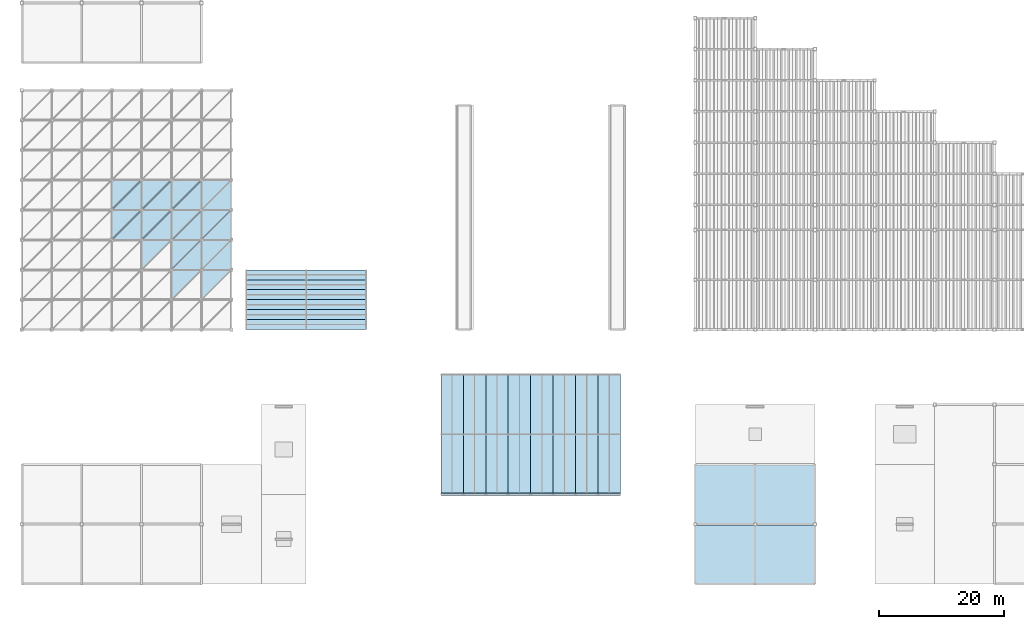
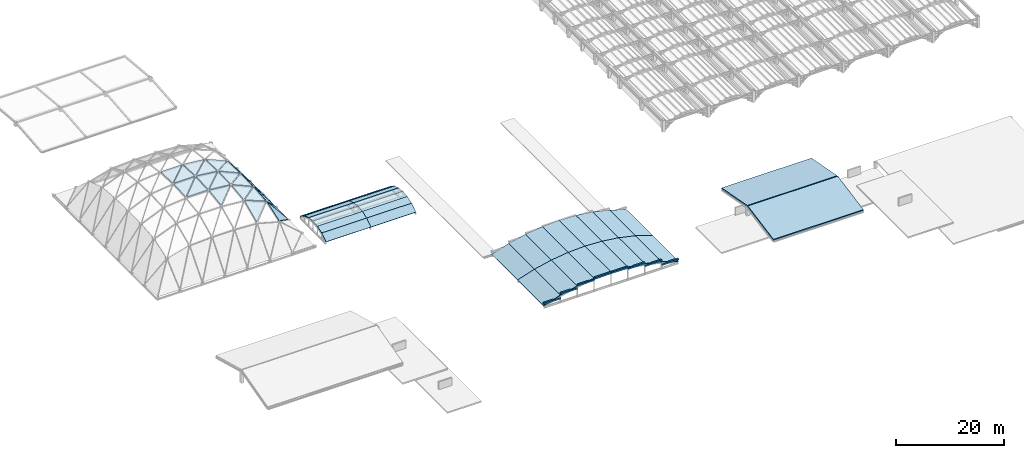
# One storey, part 31 of 70: 53 slabs, 8 plates.
"""IFC4 building model written with IfcOpenShell, lengths in metres."""

from ifc_helpers import new_model, si_unit, direction, frame, origin, origin_2d, place, context, subcontext, project, spatial, polyline, rectangle, outline, extrude, material, layer, layer_set, type_object, element, save


model = new_model("IFC4")

# Units and contexts
model_context = context("Model", 3, precision=1e-05, world=origin(), true_north=direction((0.0, 1.0)))
body_context = subcontext(model_context, "Body", "Model", "MODEL_VIEW")
ifc_project = project(units=[si_unit("LENGTHUNIT", "METRE"), si_unit("AREAUNIT", "SQUARE_METRE"), si_unit("VOLUMEUNIT", "CUBIC_METRE"), si_unit("PLANEANGLEUNIT", "RADIAN"), si_unit("MASSUNIT", "GRAM", prefix="KILO")], contexts=[model_context])

# Site, building, storey
site_placement = place(None, origin())
site = spatial("IfcSite", under=ifc_project, at=site_placement, CompositionType="ELEMENT")
building_placement = place(site_placement, origin())
building = spatial("IfcBuilding", under=site, at=building_placement, Name="Mavantir Sound Aquarium", CompositionType="ELEMENT")
storey_placement = place(building_placement, frame((0.0, 0.0, 27.0)))
storey = spatial("IfcBuildingStorey", under=building, at=storey_placement, Name="RF", CompositionType="ELEMENT", Elevation=27.0)

# Plates
ifc_material_1 = material(Name="Patinated Bronze-Copper Architectural Fascia", Category="metal")
ifc_layer_1 = layer(ifc_material_1, 0.179931640625, Name="Patinated Bronze-Copper Architectural Fascia")
ifc_layer_set_1 = layer_set([ifc_layer_1], Name="Patinated Bronze-Copper Architectural Fascia")
plate_type = type_object("IfcPlateType", Name="PLT-FASCIA-BZ", PredefinedType="SHEET", material=ifc_layer_set_1)
for number, where, z_axis, x_axis, name in (
    (1, (69.0, 14.39990234375, -16.0107421875), (0.0, 0.0, 1.0), (1.0, 0.0, 0.0), "Forecourt entry vault bronze fascia 164"),
    (2, (72.60009765625, 14.39990234375, -15.02783203125), (0.0, 0.0, 1.0), (1.0, 0.0, 0.0), "Forecourt entry vault bronze fascia 165"),
    (3, (76.199951171875, 14.39990234375, -14.38623046875), (0.0, 0.0, 1.0), (1.0, 0.0, 0.0), "Forecourt entry vault bronze fascia 166"),
    (4, (79.800048828125, 14.39990234375, -14.06884765625), (0.0, 0.0, 1.0), (1.0, 0.0, 0.0), "Forecourt entry vault bronze fascia 167"),
    (5, (83.39990234375, 14.39990234375, -14.06884765625), (0.0, 0.0, 1.0), (1.0, 0.0, 0.0), "Forecourt entry vault bronze fascia 168"),
    (6, (87.0, 14.39990234375, -14.38623046875), (0.0, 0.0, 1.0), (1.0, 0.0, 0.0), "Forecourt entry vault bronze fascia 169"),
    (7, (90.60009765625, 14.39990234375, -15.02783203125), (0.0, 0.0, 1.0), (1.0, 0.0, 0.0), "Forecourt entry vault bronze fascia 170"),
    (8, (94.199951171875, 14.39990234375, -16.0107421875), (0.0, 0.0, 1.0), (1.0, 0.0, 0.0), "Forecourt entry vault bronze fascia 171"),
):
    element("IfcPlate", number, at=place(storey_placement, frame(where, z_axis=z_axis, x_axis=x_axis)), inside=storey, type_object=plate_type, Name=name, PredefinedType="SHEET", context=body_context, shape_type="SweptSolid", body=[
        extrude(rectangle(XDim=3.60009765625, YDim=0.360107421875, at=origin_2d()), origin(), (0.0, 0.0, 1.0), 0.340087890625),
    ])

# Slabs
ifc_material_2 = material(Name="Concrete C40/50", Category="concrete")
ifc_layer_2 = layer(ifc_material_2, 0.179931640625, Name="Concrete C40/50")
ifc_layer_set_2 = layer_set([ifc_layer_2], Name="Concrete C40/50")
slab_type_1 = type_object("IfcSlabType", Name="SLB-RF-AR", PredefinedType="ROOF", material=ifc_layer_set_2)
slab_1_placement = place(storey_placement, frame((36.0, 40.800048828125, -7.02001953125), z_axis=(0.0, -0.552791246345, 0.833319769335), x_axis=(1.0, 0.0, 0.0)))
element("IfcSlab", 9, at=slab_1_placement, inside=storey, type_object=slab_type_1, Name="V2 barrel vault roof panel 37", PredefinedType="ROOF", context=body_context, shape_type="SweptSolid", body=[
    extrude(outline(polyline([(0.0, 0.0), (9.60009765625, 0.0), (9.60009765625, 1.919855467849902), (0.0, 1.919855467849902), (0.0, 0.0)])), origin(), (0.0, 0.0, -1.0), 0.179931640625),
])
slab_2_placement = place(storey_placement, frame((36.0, 42.39990234375, -5.958740234375), z_axis=(0.0, -0.331004497504, 0.943629176442), x_axis=(1.0, 0.0, 0.0)))
element("IfcSlab", 10, at=slab_2_placement, inside=storey, type_object=slab_type_1, Name="V2 barrel vault roof panel 38", PredefinedType="ROOF", context=body_context, shape_type="SweptSolid", body=[
    extrude(outline(polyline([(0.0, 0.0), (9.60009765625, 0.0), (9.60009765625, 1.6956848052150606), (0.0, 1.6956848052150606), (0.0, 0.0)])), origin(), (0.0, 0.0, -1.0), 0.179931640625),
])
slab_3_placement = place(storey_placement, frame((36.0, 44.0, -5.3974609375), z_axis=(0.0, -0.110248436416, 0.993904060897), x_axis=(1.0, 0.0, 0.0)))
element("IfcSlab", 11, at=slab_3_placement, inside=storey, type_object=slab_type_1, Name="V2 barrel vault roof panel 39", PredefinedType="ROOF", context=body_context, shape_type="SweptSolid", body=[
    extrude(outline(polyline([(0.0, 0.0), (9.60009765625, 0.0), (9.60009765625, 1.6099115791978253), (0.0, 1.6099115791978253), (0.0, 0.0)])), origin(), (0.0, 0.0, -1.0), 0.179931640625),
])
slab_4_placement = place(storey_placement, frame((36.0, 45.60009765625, -5.219970703125), z_axis=(0.0, 0.110265055994, 0.993902217236), x_axis=(1.0, 0.0, 0.0)))
element("IfcSlab", 12, at=slab_4_placement, inside=storey, type_object=slab_type_1, Name="V2 barrel vault roof panel 40", PredefinedType="ROOF", context=body_context, shape_type="SweptSolid", body=[
    extrude(outline(polyline([(0.0, 0.0), (9.60009765625, 0.0), (9.60009765625, 1.609668927064247), (0.0, 1.609668927064247), (0.0, 0.0)])), origin(), (0.0, 0.0, -1.0), 0.179931640625),
])
slab_5_placement = place(storey_placement, frame((36.0, 47.199951171875, -5.3974609375), z_axis=(0.0, 0.331004497504, 0.943629176442), x_axis=(1.0, 0.0, 0.0)))
element("IfcSlab", 13, at=slab_5_placement, inside=storey, type_object=slab_type_1, Name="V2 barrel vault roof panel 41", PredefinedType="ROOF", context=body_context, shape_type="SweptSolid", body=[
    extrude(outline(polyline([(0.0, 0.0), (9.60009765625, 0.0), (9.60009765625, 1.6956848052150606), (0.0, 1.6956848052150606), (0.0, 0.0)])), origin(), (0.0, 0.0, -1.0), 0.179931640625),
])
slab_6_placement = place(storey_placement, frame((36.0, 48.800048828125, -5.958740234375), z_axis=(0.0, 0.552791246345, 0.833319769335), x_axis=(1.0, 0.0, 0.0)))
element("IfcSlab", 14, at=slab_6_placement, inside=storey, type_object=slab_type_1, Name="V2 barrel vault roof panel 42", PredefinedType="ROOF", context=body_context, shape_type="SweptSolid", body=[
    extrude(outline(polyline([(0.0, 0.0), (9.60009765625, 0.0), (9.60009765625, 1.919855467849902), (0.0, 1.919855467849902), (0.0, 0.0)])), origin(), (0.0, 0.0, -1.0), 0.179931640625),
])
slab_7_placement = place(storey_placement, frame((45.60009765625, 40.800048828125, -7.02001953125), z_axis=(0.0, -0.552791246345, 0.833319769335), x_axis=(1.0, 0.0, 0.0)))
element("IfcSlab", 15, at=slab_7_placement, inside=storey, type_object=slab_type_1, Name="V2 barrel vault roof panel 43", PredefinedType="ROOF", context=body_context, shape_type="SweptSolid", body=[
    extrude(outline(polyline([(0.0, 0.0), (9.599853515625, 0.0), (9.599853515625, 1.9198554678499022), (0.0, 1.9198554678499022), (0.0, 0.0)])), origin(), (0.0, 0.0, -1.0), 0.179931640625),
])
slab_8_placement = place(storey_placement, frame((45.60009765625, 42.39990234375, -5.958740234375), z_axis=(0.0, -0.331004497504, 0.943629176442), x_axis=(1.0, 0.0, 0.0)))
element("IfcSlab", 16, at=slab_8_placement, inside=storey, type_object=slab_type_1, Name="V2 barrel vault roof panel 44", PredefinedType="ROOF", context=body_context, shape_type="SweptSolid", body=[
    extrude(outline(polyline([(0.0, 0.0), (9.599853515625, 0.0), (9.599853515625, 1.6956848052150604), (0.0, 1.6956848052150604), (0.0, 0.0)])), origin(), (0.0, 0.0, -1.0), 0.179931640625),
])
slab_9_placement = place(storey_placement, frame((45.60009765625, 44.0, -5.3974609375), z_axis=(0.0, -0.110248436416, 0.993904060897), x_axis=(1.0, 0.0, 0.0)))
element("IfcSlab", 17, at=slab_9_placement, inside=storey, type_object=slab_type_1, Name="V2 barrel vault roof panel 45", PredefinedType="ROOF", context=body_context, shape_type="SweptSolid", body=[
    extrude(outline(polyline([(0.0, 0.0), (9.599853515625, 0.0), (9.599853515625, 1.6099115791978253), (0.0, 1.6099115791978253), (0.0, 0.0)])), origin(), (0.0, 0.0, -1.0), 0.179931640625),
])
slab_10_placement = place(storey_placement, frame((45.60009765625, 45.60009765625, -5.219970703125), z_axis=(0.0, 0.110265055994, 0.993902217236), x_axis=(1.0, 0.0, 0.0)))
element("IfcSlab", 18, at=slab_10_placement, inside=storey, type_object=slab_type_1, Name="V2 barrel vault roof panel 46", PredefinedType="ROOF", context=body_context, shape_type="SweptSolid", body=[
    extrude(outline(polyline([(0.0, 0.0), (9.599853515625, 0.0), (9.599853515625, 1.609668927064247), (0.0, 1.609668927064247), (0.0, 0.0)])), origin(), (0.0, 0.0, -1.0), 0.179931640625),
])
slab_11_placement = place(storey_placement, frame((45.60009765625, 47.199951171875, -5.3974609375), z_axis=(0.0, 0.331004497504, 0.943629176442), x_axis=(1.0, 0.0, 0.0)))
element("IfcSlab", 19, at=slab_11_placement, inside=storey, type_object=slab_type_1, Name="V2 barrel vault roof panel 47", PredefinedType="ROOF", context=body_context, shape_type="SweptSolid", body=[
    extrude(outline(polyline([(0.0, 0.0), (9.599853515625, 0.0), (9.599853515625, 1.6956848052150604), (0.0, 1.6956848052150604), (0.0, 0.0)])), origin(), (0.0, 0.0, -1.0), 0.179931640625),
])
slab_12_placement = place(storey_placement, frame((45.60009765625, 48.800048828125, -5.958740234375), z_axis=(0.0, 0.552791246345, 0.833319769335), x_axis=(1.0, 0.0, 0.0)))
element("IfcSlab", 20, at=slab_12_placement, inside=storey, type_object=slab_type_1, Name="V2 barrel vault roof panel 48", PredefinedType="ROOF", context=body_context, shape_type="SweptSolid", body=[
    extrude(outline(polyline([(0.0, 0.0), (9.599853515625, 0.0), (9.599853515625, 1.9198554678499022), (0.0, 1.9198554678499022), (0.0, 0.0)])), origin(), (0.0, 0.0, -1.0), 0.179931640625),
])
ifc_layer_3 = layer(ifc_material_2, 0.159912109375, Name="Concrete C40/50")
ifc_layer_set_3 = layer_set([ifc_layer_3], Name="Concrete C40/50")
slab_type_2 = type_object("IfcSlabType", Name="SLB-RF-CN", PredefinedType="ROOF", material=ifc_layer_set_3)
slab_13_placement = place(storey_placement, frame((67.199951171875, 14.39990234375, -16.340087890625), z_axis=(-0.306314253152, 0.0, 0.951930448256), x_axis=(0.951930448256, 0.0, 0.306314253152)))
element("IfcSlab", 21, at=slab_13_placement, inside=storey, type_object=slab_type_2, Name="V7 entry vault roof panel 97", PredefinedType="ROOF", context=body_context, shape_type="SweptSolid", body=[
    extrude(outline(polyline([(0.0, 0.0), (3.781891484663565, 0.0), (3.781891484663565, 9.60009765625), (0.0, 9.60009765625), (0.0, 0.0)])), origin(), (0.0, 0.0, -1.0), 0.159912109375),
])
slab_14_placement = place(storey_placement, frame((70.800048828125, 14.39990234375, -15.181640625), z_axis=(-0.218779899448, 0.0, 0.975774233928), x_axis=(0.975774233928, 0.0, 0.218779899448)))
element("IfcSlab", 22, at=slab_14_placement, inside=storey, type_object=slab_type_2, Name="V7 entry vault roof panel 98", PredefinedType="ROOF", context=body_context, shape_type="SweptSolid", body=[
    extrude(outline(polyline([(0.0, 0.0), (3.689227887412486, 0.0), (3.689227887412486, 9.60009765625), (0.0, 9.60009765625), (0.0, 0.0)])), origin(), (0.0, 0.0, -1.0), 0.159912109375),
])
slab_15_placement = place(storey_placement, frame((74.39990234375, 14.39990234375, -14.37451171875), z_axis=(-0.131296164848, 0.0, 0.991343188354), x_axis=(0.991343188354, 0.0, 0.131296164848)))
element("IfcSlab", 23, at=slab_15_placement, inside=storey, type_object=slab_type_2, Name="V7 entry vault roof panel 99", PredefinedType="ROOF", context=body_context, shape_type="SweptSolid", body=[
    extrude(outline(polyline([(0.0, 0.0), (3.6315351722213625, 0.0), (3.6315351722213625, 9.60009765625), (0.0, 9.60009765625), (0.0, 0.0)])), origin(), (0.0, 0.0, -1.0), 0.159912109375),
])
slab_16_placement = place(storey_placement, frame((78.0, 14.39990234375, -13.897705078125), z_axis=(-0.043766512578, 0.0, 0.999041787102), x_axis=(0.999041787102, 0.0, 0.043766512578)))
element("IfcSlab", 24, at=slab_16_placement, inside=storey, type_object=slab_type_2, Name="V7 entry vault roof panel 100", PredefinedType="ROOF", context=body_context, shape_type="SweptSolid", body=[
    extrude(outline(polyline([(0.0, 0.0), (3.603550624935888, 0.0), (3.603550624935888, 9.600097656250002), (0.0, 9.600097656250002), (0.0, 0.0)])), origin(), (0.0, 0.0, -1.0), 0.159912109375),
])
slab_17_placement = place(storey_placement, frame((81.60009765625, 14.39990234375, -13.739990234375), z_axis=(0.043769475119, 0.0, 0.999041657314), x_axis=(0.999041657314, 0.0, -0.043769475119)))
element("IfcSlab", 25, at=slab_17_placement, inside=storey, type_object=slab_type_2, Name="V7 entry vault roof panel 101", PredefinedType="ROOF", context=body_context, shape_type="SweptSolid", body=[
    extrude(outline(polyline([(0.0, 0.0), (3.6033067182654266, 0.0), (3.6033067182654266, 9.60009765625), (0.0, 9.60009765625), (0.0, 0.0)])), origin(), (0.0, 0.0, -1.0), 0.159912109375),
])
slab_18_placement = place(storey_placement, frame((85.199951171875, 14.39990234375, -13.897705078125), z_axis=(0.131296164848, 0.0, 0.991343188354), x_axis=(0.991343188354, 0.0, -0.131296164848)))
element("IfcSlab", 26, at=slab_18_placement, inside=storey, type_object=slab_type_2, Name="V7 entry vault roof panel 102", PredefinedType="ROOF", context=body_context, shape_type="SweptSolid", body=[
    extrude(outline(polyline([(0.0, 0.0), (3.6315351722213625, 0.0), (3.6315351722213625, 9.60009765625), (0.0, 9.60009765625), (0.0, 0.0)])), origin(), (0.0, 0.0, -1.0), 0.159912109375),
])
slab_19_placement = place(storey_placement, frame((88.800048828125, 14.39990234375, -14.37451171875), z_axis=(0.218779899448, 0.0, 0.975774233928), x_axis=(0.975774233928, 0.0, -0.218779899448)))
element("IfcSlab", 27, at=slab_19_placement, inside=storey, type_object=slab_type_2, Name="V7 entry vault roof panel 103", PredefinedType="ROOF", context=body_context, shape_type="SweptSolid", body=[
    extrude(outline(polyline([(0.0, 0.0), (3.689227887412486, 0.0), (3.689227887412486, 9.60009765625), (0.0, 9.60009765625), (0.0, 0.0)])), origin(), (0.0, 0.0, -1.0), 0.159912109375),
])
for number, where, z_axis, x_axis, name in (
    (28, (92.39990234375, 14.39990234375, -15.181640625), (0.306314253152, 0.0, 0.951930448256), (0.951930448256, 0.0, -0.306314253152), "V7 entry vault roof panel 104"),
    (29, (67.199951171875, 24.0, -16.340087890625), (-0.306314253152, 0.0, 0.951930448256), (0.951930448256, 0.0, 0.306314253152), "V7 entry vault roof panel 105"),
):
    element("IfcSlab", number, at=place(storey_placement, frame(where, z_axis=z_axis, x_axis=x_axis)), inside=storey, type_object=slab_type_2, Name=name, PredefinedType="ROOF", context=body_context, shape_type="SweptSolid", body=[
        extrude(outline(polyline([(0.0, 0.0), (3.781891484663565, 0.0), (3.781891484663565, 9.60009765625), (0.0, 9.60009765625), (0.0, 0.0)])), origin(), (0.0, 0.0, -1.0), 0.159912109375),
    ])
slab_20_placement = place(storey_placement, frame((70.800048828125, 24.0, -15.181640625), z_axis=(-0.218779899448, 0.0, 0.975774233928), x_axis=(0.975774233928, 0.0, 0.218779899448)))
element("IfcSlab", 30, at=slab_20_placement, inside=storey, type_object=slab_type_2, Name="V7 entry vault roof panel 106", PredefinedType="ROOF", context=body_context, shape_type="SweptSolid", body=[
    extrude(outline(polyline([(0.0, 0.0), (3.689227887412486, 0.0), (3.689227887412486, 9.60009765625), (0.0, 9.60009765625), (0.0, 0.0)])), origin(), (0.0, 0.0, -1.0), 0.159912109375),
])
slab_21_placement = place(storey_placement, frame((74.39990234375, 24.0, -14.37451171875), z_axis=(-0.131296164848, 0.0, 0.991343188354), x_axis=(0.991343188354, 0.0, 0.131296164848)))
element("IfcSlab", 31, at=slab_21_placement, inside=storey, type_object=slab_type_2, Name="V7 entry vault roof panel 107", PredefinedType="ROOF", context=body_context, shape_type="SweptSolid", body=[
    extrude(outline(polyline([(0.0, 0.0), (3.6315351722213625, 0.0), (3.6315351722213625, 9.60009765625), (0.0, 9.60009765625), (0.0, 0.0)])), origin(), (0.0, 0.0, -1.0), 0.159912109375),
])
slab_22_placement = place(storey_placement, frame((78.0, 24.0, -13.897705078125), z_axis=(-0.043766512578, 0.0, 0.999041787102), x_axis=(0.999041787102, 0.0, 0.043766512578)))
element("IfcSlab", 32, at=slab_22_placement, inside=storey, type_object=slab_type_2, Name="V7 entry vault roof panel 108", PredefinedType="ROOF", context=body_context, shape_type="SweptSolid", body=[
    extrude(outline(polyline([(0.0, 0.0), (3.603550624935888, 0.0), (3.603550624935888, 9.600097656250002), (0.0, 9.600097656250002), (0.0, 0.0)])), origin(), (0.0, 0.0, -1.0), 0.159912109375),
])
slab_23_placement = place(storey_placement, frame((81.60009765625, 24.0, -13.739990234375), z_axis=(0.043769475119, 0.0, 0.999041657314), x_axis=(0.999041657314, 0.0, -0.043769475119)))
element("IfcSlab", 33, at=slab_23_placement, inside=storey, type_object=slab_type_2, Name="V7 entry vault roof panel 109", PredefinedType="ROOF", context=body_context, shape_type="SweptSolid", body=[
    extrude(outline(polyline([(0.0, 0.0), (3.6033067182654266, 0.0), (3.6033067182654266, 9.60009765625), (0.0, 9.60009765625), (0.0, 0.0)])), origin(), (0.0, 0.0, -1.0), 0.159912109375),
])
slab_24_placement = place(storey_placement, frame((85.199951171875, 24.0, -13.897705078125), z_axis=(0.131296164848, 0.0, 0.991343188354), x_axis=(0.991343188354, 0.0, -0.131296164848)))
element("IfcSlab", 34, at=slab_24_placement, inside=storey, type_object=slab_type_2, Name="V7 entry vault roof panel 110", PredefinedType="ROOF", context=body_context, shape_type="SweptSolid", body=[
    extrude(outline(polyline([(0.0, 0.0), (3.6315351722213625, 0.0), (3.6315351722213625, 9.60009765625), (0.0, 9.60009765625), (0.0, 0.0)])), origin(), (0.0, 0.0, -1.0), 0.159912109375),
])
slab_25_placement = place(storey_placement, frame((88.800048828125, 24.0, -14.37451171875), z_axis=(0.218779899448, 0.0, 0.975774233928), x_axis=(0.975774233928, 0.0, -0.218779899448)))
element("IfcSlab", 35, at=slab_25_placement, inside=storey, type_object=slab_type_2, Name="V7 entry vault roof panel 111", PredefinedType="ROOF", context=body_context, shape_type="SweptSolid", body=[
    extrude(outline(polyline([(0.0, 0.0), (3.689227887412486, 0.0), (3.689227887412486, 9.60009765625), (0.0, 9.60009765625), (0.0, 0.0)])), origin(), (0.0, 0.0, -1.0), 0.159912109375),
])
slab_26_placement = place(storey_placement, frame((92.39990234375, 24.0, -15.181640625), z_axis=(0.306314253152, 0.0, 0.951930448256), x_axis=(0.951930448256, 0.0, -0.306314253152)))
element("IfcSlab", 36, at=slab_26_placement, inside=storey, type_object=slab_type_2, Name="V7 entry vault roof panel 112", PredefinedType="ROOF", context=body_context, shape_type="SweptSolid", body=[
    extrude(outline(polyline([(0.0, 0.0), (3.781891484663565, 0.0), (3.781891484663565, 9.60009765625), (0.0, 9.60009765625), (0.0, 0.0)])), origin(), (0.0, 0.0, -1.0), 0.159912109375),
])
ifc_layer_4 = layer(ifc_material_2, 0.199951171875, Name="Concrete C40/50")
ifc_layer_set_4 = layer_set([ifc_layer_4], Name="Concrete C40/50")
slab_type_3 = type_object("IfcSlabType", Name="SLB-RF-GS", PredefinedType="ROOF", material=ifc_layer_set_4)
slab_27_placement = place(storey_placement, frame((14.580810546875, 55.27490234375, 1.876220703125), z_axis=(0.0, -0.046904746493, 0.998899366681), x_axis=(1.0, 0.0, 0.0)))
element("IfcSlab", 37, at=slab_27_placement, inside=storey, type_object=slab_type_3, Name="Gridshell insulated roof panel 55", PredefinedType="ROOF", context=body_context, shape_type="SweptSolid", body=[
    extrude(outline(polyline([(0.0, 0.0), (4.544189453125, 0.0), (4.544189453125, 4.5491964503113), (0.0, 0.0)])), origin(), (0.0, 0.0, -1.0), 0.199951171875),
])
slab_28_placement = place(storey_placement, frame((14.47509765625, 55.381103515625, 1.881103515625), z_axis=(0.0, -0.046907261083, 0.998899248602), x_axis=(0.706717285333, 0.706717285333, 0.033186702524)))
element("IfcSlab", 38, at=slab_28_placement, inside=storey, type_object=slab_type_3, Name="Gridshell insulated roof panel 56", PredefinedType="ROOF", context=body_context, shape_type="SweptSolid", body=[
    extrude(outline(polyline([(0.0, 0.0), (6.429650734185637, -7.112366251504909e-17), (3.218366038236149, 3.2148234173203556), (0.0, 0.0)])), origin(), (0.0, 0.0, -1.0), 0.199951171875),
])
slab_29_placement = place(storey_placement, frame((14.580810546875, 60.074951171875, 2.094482421875), z_axis=(0.0, 0.046907261083, 0.998899248602), x_axis=(1.0, 0.0, 0.0)))
element("IfcSlab", 39, at=slab_29_placement, inside=storey, type_object=slab_type_3, Name="Gridshell insulated roof panel 57", PredefinedType="ROOF", context=body_context, shape_type="SweptSolid", body=[
    extrude(outline(polyline([(0.0, 0.0), (4.544189453125, 0.0), (4.544189453125, 4.548952578410019), (0.0, 0.0)])), origin(), (0.0, 0.0, -1.0), 0.199951171875),
])
slab_30_placement = place(storey_placement, frame((14.47509765625, 60.180908203125, 2.089599609375), z_axis=(0.0, 0.046904746493, 0.998899366681), x_axis=(0.706698320969, 0.706736291005, -0.033185811978)))
element("IfcSlab", 40, at=slab_30_placement, inside=storey, type_object=slab_type_3, Name="Gridshell insulated roof panel 58", PredefinedType="ROOF", context=body_context, shape_type="SweptSolid", body=[
    extrude(outline(polyline([(0.0, 0.0), (6.429823274905435, -4.102621020685149e-16), (3.2186247519888953, 3.2149094931909596), (0.0, 0.0)])), origin(), (0.0, 0.0, -1.0), 0.199951171875),
])
slab_31_placement = place(storey_placement, frame((19.274658203125, 50.579345703125, 1.211669921875), z_axis=(0.096162659572, -0.139454379731, 0.985548181916), x_axis=(0.706765929956, 0.706765929956, 0.031045780835)))
element("IfcSlab", 41, at=slab_31_placement, inside=storey, type_object=slab_type_3, Name="Gridshell insulated roof panel 70", PredefinedType="ROOF", context=body_context, shape_type="SweptSolid", body=[
    extrude(outline(polyline([(0.0, 0.0), (6.432662535154746, 2.2898349882893854e-16), (3.233203315462637, 3.2603492109018655), (0.0, 0.0)])), origin(), (0.0, 0.0, -1.0), 0.199951171875),
])
slab_32_placement = place(storey_placement, frame((19.380615234375, 55.27490234375, 1.857666015625), z_axis=(0.097094261244, -0.033182332044, 0.994721889411), x_axis=(0.995269969861, 0.0, -0.097147759078)))
element("IfcSlab", 42, at=slab_32_placement, inside=storey, type_object=slab_type_3, Name="Gridshell insulated roof panel 71", PredefinedType="ROOF", context=body_context, shape_type="SweptSolid", body=[
    extrude(outline(polyline([(0.0, 0.0), (4.566276359179189, 0.0), (4.551547658401009, 4.547426075269693), (0.0, 0.0)])), origin(), (0.0, 0.0, -1.0), 0.199951171875),
])
slab_33_placement = place(storey_placement, frame((19.274658203125, 55.3798828125, 1.872802734375), z_axis=(0.110393460985, -0.046608068759, 0.992794526424), x_axis=(0.706359325528, 0.706397269196, -0.045380627059)))
element("IfcSlab", 43, at=slab_33_placement, inside=storey, type_object=slab_type_3, Name="Gridshell insulated roof panel 72", PredefinedType="ROOF", context=body_context, shape_type="SweptSolid", body=[
    extrude(outline(polyline([(0.0, 0.0), (6.434291600246835, -2.0816681711721685e-16), (3.201009592913075, 3.233821617421615), (0.0, 0.0)])), origin(), (0.0, 0.0, -1.0), 0.199951171875),
])
slab_34_placement = place(storey_placement, frame((19.380859375, 60.074951171875, 2.075439453125), z_axis=(0.110458923214, 0.033084315166, 0.993329881949), x_axis=(0.993873964135, 0.0, -0.110519425504)))
element("IfcSlab", 44, at=slab_34_placement, inside=storey, type_object=slab_type_3, Name="Gridshell insulated roof panel 73", PredefinedType="ROOF", context=body_context, shape_type="SweptSolid", body=[
    extrude(outline(polyline([(0.0, 0.0), (4.572690198528866, 0.0), (4.589419213131549, 4.547167016379096), (0.0, 0.0)])), origin(), (0.0, 0.0, -1.0), 0.199951171875),
])
slab_35_placement = place(storey_placement, frame((19.274658203125, 60.1806640625, 2.082275390625), z_axis=(0.096994110165, 0.04668108606, 0.994189629194), x_axis=(0.703443543858, 0.703443543858, -0.101658060222)))
element("IfcSlab", 45, at=slab_35_placement, inside=storey, type_object=slab_type_3, Name="Gridshell insulated roof panel 74", PredefinedType="ROOF", context=body_context, shape_type="SweptSolid", body=[
    extrude(outline(polyline([(0.0, 0.0), (6.460267683777993, 1.457167719820518e-16), (3.2184441577179213, 3.215435343664582), (0.0, 0.0)])), origin(), (0.0, 0.0, -1.0), 0.199951171875),
])
slab_36_placement = place(storey_placement, frame((24.070556640625, 45.76171875, -1.31396484375), z_axis=(0.338070807969, -0.386936364754, 0.857897650323), x_axis=(0.706533943259, 0.706533943259, 0.040243931793)))
element("IfcSlab", 46, at=slab_36_placement, inside=storey, type_object=slab_type_3, Name="Gridshell insulated roof panel 84", PredefinedType="ROOF", context=body_context, shape_type="SweptSolid", body=[
    extrude(outline(polyline([(0.0, 0.0), (6.4669105291676345, -4.440892098500626e-16), (3.311152777431083, 3.762941235637565), (0.0, 0.0)])), origin(), (0.0, 0.0, -1.0), 0.199951171875),
])
slab_37_placement = place(storey_placement, frame((24.17529296875, 50.474853515625, 0.743408203125), z_axis=(0.365390699593, -0.081909160793, 0.927243509564), x_axis=(0.930369738691, 0.0, -0.366622625227)))
element("IfcSlab", 47, at=slab_37_placement, inside=storey, type_object=slab_type_3, Name="Gridshell insulated roof panel 85", PredefinedType="ROOF", context=body_context, shape_type="SweptSolid", body=[
    extrude(outline(polyline([(0.0, 0.0), (4.895829530132792, 0.0), (4.74832120826421, 4.570043764648193), (0.0, 0.0)])), origin(), (0.0, 0.0, -1.0), 0.199951171875),
])
slab_38_placement = place(storey_placement, frame((24.069091796875, 50.568115234375, 0.797119140625), z_axis=(0.392799095443, -0.113806632756, 0.912555160503), x_axis=(0.691141152878, 0.691141152878, -0.211300292467)))
element("IfcSlab", 48, at=slab_38_placement, inside=storey, type_object=slab_type_3, Name="Gridshell insulated roof panel 86", PredefinedType="ROOF", context=body_context, shape_type="SweptSolid", body=[
    extrude(outline(polyline([(0.0, 0.0), (6.593983049477649, -2.220446049250313e-16), (3.0296935595493384, 3.4516138837880423), (0.0, 0.0)])), origin(), (0.0, 0.0, -1.0), 0.199951171875),
])
slab_39_placement = place(storey_placement, frame((24.176513671875, 55.27490234375, 1.329833984375), z_axis=(0.395300453174, -0.016885187477, 0.918396669291), x_axis=(0.918527619126, 0.0, -0.395356817195)))
element("IfcSlab", 49, at=slab_39_placement, inside=storey, type_object=slab_type_3, Name="Gridshell insulated roof panel 87", PredefinedType="ROOF", context=body_context, shape_type="SweptSolid", body=[
    extrude(outline(polyline([(0.0, 0.0), (4.958683228635778, 3.469446951953614e-18), (4.925575956102142, 4.555336931338319), (0.0, 0.0)])), origin(), (0.0, 0.0, -1.0), 0.199951171875),
])
slab_40_placement = place(storey_placement, frame((24.068603515625, 55.369384765625, 1.379638671875), z_axis=(0.406631822297, -0.030387287803, 0.913086619021), x_axis=(0.678876817877, 0.678876817877, -0.279736540871)))
element("IfcSlab", 50, at=slab_40_placement, inside=storey, type_object=slab_type_3, Name="Gridshell insulated roof panel 88", PredefinedType="ROOF", context=body_context, shape_type="SweptSolid", body=[
    extrude(outline(polyline([(0.0, 0.0), (6.7105901137513975, 2.220446049250313e-16), (3.050323493579763, 3.3871208466314253), (0.0, 0.0)])), origin(), (0.0, 0.0, -1.0), 0.199951171875),
])
slab_41_placement = place(storey_placement, frame((24.177001953125, 60.074951171875, 1.484130859375), z_axis=(0.406771588055, 0.016792871449, 0.913375538658), x_axis=(0.913504352097, 0.0, -0.406828955091)))
element("IfcSlab", 51, at=slab_41_placement, inside=storey, type_object=slab_type_3, Name="Gridshell insulated roof panel 89", PredefinedType="ROOF", context=body_context, shape_type="SweptSolid", body=[
    extrude(outline(polyline([(0.0, 0.0), (4.985683263491087, 3.469446951953614e-18), (5.01975121554093, 4.555329848007998), (0.0, 0.0)])), origin(), (0.0, 0.0, -1.0), 0.199951171875),
])
slab_42_placement = place(storey_placement, frame((24.06884765625, 60.17138671875, 1.529052734375), z_axis=(0.395159918025, 0.030616525786, 0.918101991903), x_axis=(0.671902406159, 0.671902406159, -0.311599603971)))
element("IfcSlab", 52, at=slab_42_placement, inside=storey, type_object=slab_type_3, Name="Gridshell insulated roof panel 90", PredefinedType="ROOF", context=body_context, shape_type="SweptSolid", body=[
    extrude(outline(polyline([(0.0, 0.0), (6.7773398275666334, 0.0), (3.10696743978272, 3.332581088859868), (0.0, 0.0)])), origin(), (0.0, 0.0, -1.0), 0.199951171875),
])
slab_43_placement = place(storey_placement, frame((28.848876953125, 45.726318359375, -2.72607421875), z_axis=(0.757775884364, -0.209028049141, 0.618128614245), x_axis=(0.598887007941, 0.598887007941, -0.531665969795)))
element("IfcSlab", 53, at=slab_43_placement, inside=storey, type_object=slab_type_3, Name="Gridshell insulated roof panel 100", PredefinedType="ROOF", context=body_context, shape_type="SweptSolid", body=[
    extrude(outline(polyline([(0.0, 0.0), (7.681485381838225, 0.0), (1.9279912917743518, 4.457138645170394), (0.0, 0.0)])), origin(), (0.0, 0.0, -1.0), 0.199951171875),
])
slab_44_placement = place(storey_placement, frame((28.963623046875, 50.47509765625, -1.286376953125), z_axis=(0.774888427975, 0.0, 0.632098033687), x_axis=(0.632098033687, 0.0, -0.774888427975)))
element("IfcSlab", 54, at=slab_44_placement, inside=storey, type_object=slab_type_3, Name="Gridshell insulated roof panel 101", PredefinedType="ROOF", context=body_context, shape_type="SweptSolid", body=[
    extrude(outline(polyline([(0.0, 0.0), (7.259739696917187, 0.0), (7.259739696917187, 4.588867187499999), (0.0, 0.0)])), origin(), (0.0, 0.0, -1.0), 0.199951171875),
])
slab_45_placement = place(storey_placement, frame((28.845458984375, 50.530517578125, -1.134033203125), z_axis=(0.794671205432, -0.053402891878, 0.60468653565), x_axis=(0.534318910277, 0.534290519261, -0.655009116844)))
element("IfcSlab", 55, at=slab_45_placement, inside=storey, type_object=slab_type_3, Name="Gridshell insulated roof panel 102", PredefinedType="ROOF", context=body_context, shape_type="SweptSolid", body=[
    extrude(outline(polyline([(0.0, 0.0), (8.599221315450244, 0.0), (2.189010773873298, 4.059820578447765), (0.0, 0.0)])), origin(), (0.0, 0.0, -1.0), 0.199951171875),
])
slab_46_placement = place(storey_placement, frame((28.962646484375, 55.27490234375, -0.87548828125), z_axis=(0.795812167841, 0.0, 0.605543552122), x_axis=(0.605543552122, 0.0, -0.795812167841)))
element("IfcSlab", 56, at=slab_46_placement, inside=storey, type_object=slab_type_3, Name="Gridshell insulated roof panel 103", PredefinedType="ROOF", context=body_context, shape_type="SweptSolid", body=[
    extrude(outline(polyline([(0.0, 0.0), (7.583337316581882, 0.0), (7.583337316581882, 4.592041015625), (0.0, 0.0)])), origin(), (0.0, 0.0, -1.0), 0.199951171875),
])
slab_47_placement = place(storey_placement, frame((28.844970703125, 55.33203125, -0.71923828125), z_axis=(0.799801940639, -0.011037911191, 0.600162494884), x_axis=(0.517970993475, 0.517970993475, -0.680743784281)))
element("IfcSlab", 57, at=slab_47_placement, inside=storey, type_object=slab_type_3, Name="Gridshell insulated roof panel 104", PredefinedType="ROOF", context=body_context, shape_type="SweptSolid", body=[
    extrude(outline(polyline([(0.0, 0.0), (8.867325846395245, -8.881784197001252e-16), (2.321545642306254, 3.964009577852709), (0.0, 0.0)])), origin(), (0.0, 0.0, -1.0), 0.199951171875),
])
slab_48_placement = place(storey_placement, frame((28.96240234375, 60.074951171875, -0.789794921875), z_axis=(0.799846819927, 0.0, 0.600204185801), x_axis=(0.600204185801, 0.0, -0.799846819927)))
element("IfcSlab", 58, at=slab_48_placement, inside=storey, type_object=slab_type_3, Name="Gridshell insulated roof panel 105", PredefinedType="ROOF", context=body_context, shape_type="SweptSolid", body=[
    extrude(outline(polyline([(0.0, 0.0), (7.65161157739911, 0.0), (7.65161157739911, 4.592529296875), (0.0, 0.0)])), origin(), (0.0, 0.0, -1.0), 0.199951171875),
])
slab_49_placement = place(storey_placement, frame((28.845458984375, 60.133544921875, -0.635498046875), z_axis=(0.795773919611, 0.011139469818, 0.605491355082), x_axis=(0.514610827737, 0.51463819192, -0.685801157329)))
element("IfcSlab", 59, at=slab_49_placement, inside=storey, type_object=slab_type_3, Name="Gridshell insulated roof panel 106", PredefinedType="ROOF", context=body_context, shape_type="SweptSolid", body=[
    extrude(outline(polyline([(0.0, 0.0), (8.92190437178445, 4.440892098500626e-16), (2.420919842741306, 3.9023889167049814), (0.0, 0.0)])), origin(), (0.0, 0.0, -1.0), 0.199951171875),
])
ifc_layer_5 = layer(ifc_material_2, 0.280029296875, Name="Concrete C40/50")
ifc_layer_set_5 = layer_set([ifc_layer_5], Name="Concrete C40/50")
slab_type_4 = type_object("IfcSlabType", Name="SLB-RF-PD", PredefinedType="ROOF", material=ifc_layer_set_5)
for number, where, z_axis, x_axis, name in (
    (60, (108.0, 0.0, -6.919921875), (0.0, -0.184271776941, 0.982875328932), (1.0, 0.0, 0.0), "Pavilion sloped roof deck RF-V6-S"),
    (61, (108.0, 9.68994140625, -5.136962890625), (0.0, 0.184271776941, 0.982875328932), (1.0, 0.0, 0.0), "Pavilion sloped roof deck RF-V6-N"),
):
    element("IfcSlab", number, at=place(storey_placement, frame(where, z_axis=z_axis, x_axis=x_axis)), inside=storey, type_object=slab_type_4, Name=name, PredefinedType="ROOF", context=body_context, shape_type="SweptSolid", body=[
        extrude(outline(polyline([(0.0, 0.0), (19.199951171875, 0.0), (19.199951171875, 9.675702996798032), (0.0, 9.675702996798032), (0.0, 0.0)])), origin(), (0.0, 0.0, -1.0), 0.280029296875),
    ])

save(model, "model.ifc")
